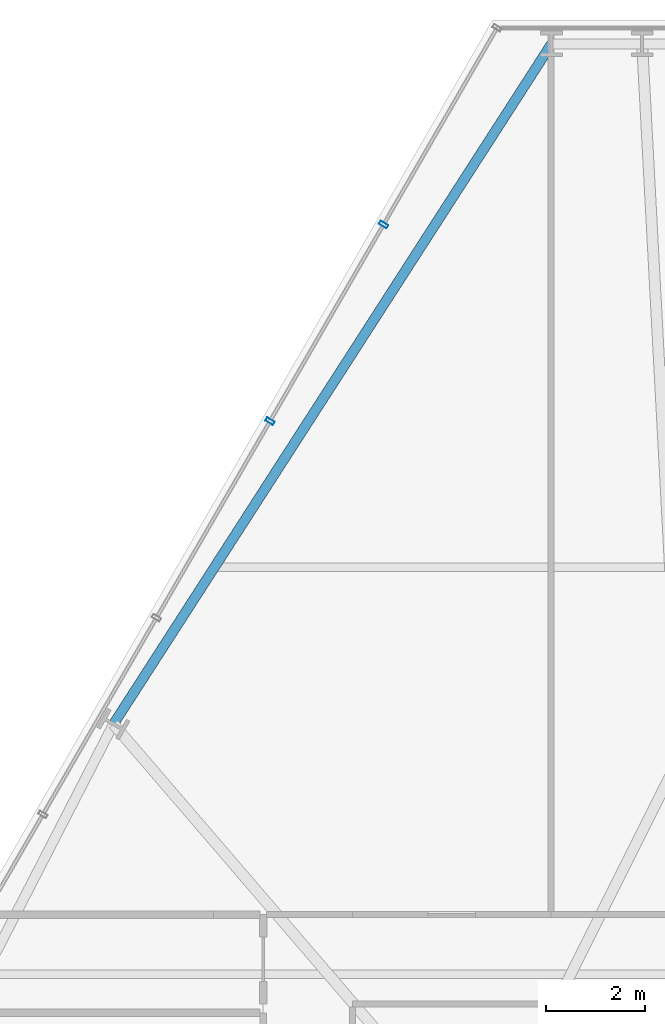
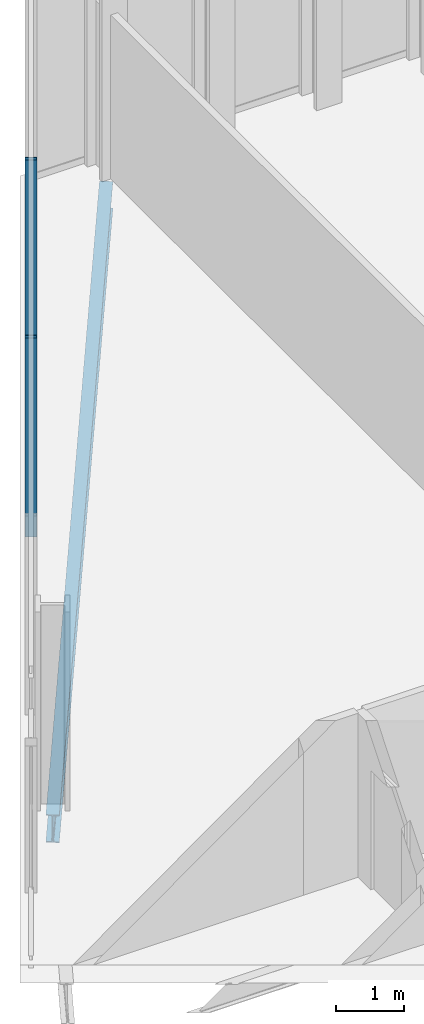
# One storey, part 22 of 32: 2 members, 1 beam, 1 element without a shape of its own.
"""IFC4 building model written with IfcOpenShell, lengths in metres."""

from ifc_helpers import new_model, si_unit, direction, frame, origin, origin_2d, place, context, subcontext, project, spatial, hollow_rectangle, i_section, extrude, material, layer, layer_set, material_profile, profile_set, type_object, element, aggregate, save


model = new_model("IFC4")

# Units and contexts
model_context = context("Model", 3, precision=1e-05, world=origin(), true_north=direction((0.0, 1.0)))
body_context = subcontext(model_context, "Body", "Model", "MODEL_VIEW")
ifc_project = project(units=[si_unit("LENGTHUNIT", "METRE"), si_unit("AREAUNIT", "SQUARE_METRE"), si_unit("VOLUMEUNIT", "CUBIC_METRE"), si_unit("PLANEANGLEUNIT", "RADIAN"), si_unit("MASSUNIT", "GRAM", prefix="KILO")], contexts=[model_context])

# Site, building, storey
site_placement = place(None, origin())
site = spatial("IfcSite", under=ifc_project, at=site_placement, CompositionType="ELEMENT")
building_placement = place(site_placement, origin())
building = spatial("IfcBuilding", under=site, at=building_placement, Name="Ndaravel Arena Tower", CompositionType="ELEMENT")
storey_placement = place(building_placement, frame((0.0, 0.0, 74.0)))
storey = spatial("IfcBuildingStorey", under=building, at=storey_placement, Name="L16", CompositionType="ELEMENT", Elevation=74.0)

# Beam
ifc_material_1 = material(Name="Steel S355", Category="steel")
ifc_material_profile_1 = material_profile(ifc_material_1, i_section(OverallWidth=0.199951171875, OverallDepth=0.5, WebThickness=0.01025390625, FlangeThickness=0.01611328125, FilletRadius=0.02099609375, at=origin_2d()), Name="IPE 500")
ifc_profile_set_1 = profile_set([ifc_material_profile_1], Name="Steel S355")
beam_type = type_object("IfcBeamType", Name="BM-SPAN-IPE500", PredefinedType="SPANDREL", material=ifc_profile_set_1)
beam_placement = place(storey_placement, frame((35.61083984375, 45.545654296875, -0.469970703125), z_axis=(-0.541382511268, -0.840776412903, 0.0), x_axis=(0.840776412903, -0.541382511268, 0.0)))
element("IfcBeam", 1, at=beam_placement, inside=storey, type_object=beam_type, Name="L16 Perimeter Spandrel Beam SP-18", PredefinedType="SPANDREL", context=body_context, shape_type="SweptSolid", body=[
    extrude(i_section(OverallWidth=0.199951171875, OverallDepth=0.5, WebThickness=0.01025390625, FlangeThickness=0.01611328125, FilletRadius=0.02099609375, at=origin_2d()), origin(), (0.0, 0.0, 1.0), 16.3056640625),
])

# Curtain wall, members
ifc_material_2 = material(Name="Aluminium", Category="aluminium")
ifc_layer = layer(ifc_material_2, 0.179931640625)
ifc_layer_set = layer_set([ifc_layer], Name="Aluminium")
curtain_wall_type = type_object("IfcCurtainWallType", Name="CW-SYS-03", PredefinedType="NOTDEFINED", material=ifc_layer_set)
curtain_wall_placement = place(storey_placement, origin())
curtain_wall = element("IfcCurtainWall", 2, at=curtain_wall_placement, inside=storey, type_object=curtain_wall_type, Name="L16 Faceted Crystal Curtain Wall CW-L16-E05", PredefinedType="NOTDEFINED")
ifc_material_3 = material(Name="Aluminium", Category="aluminium")
ifc_material_profile_2 = material_profile(ifc_material_3, hollow_rectangle(XDim=0.074951171875, YDim=0.179931640625, WallThickness=0.00390625, at=origin_2d()), Name="CW MULLION 75x180x4")
ifc_profile_set_2 = profile_set([ifc_material_profile_2], Name="Aluminium")
member_type = type_object("IfcMemberType", Name="MEM-CW-MUL180", PredefinedType="MULLION", material=ifc_profile_set_2)
member_1_placement = place(storey_placement, frame((32.2255859375, 41.903076171875, 0.0), z_axis=(0.0, 0.0, 1.0), x_axis=(-0.5, -0.866025403784, 0.0)))
member_1 = element("IfcMember", 3, at=member_1_placement, type_object=member_type, Name="CW-L16-E05 Mullion 01", PredefinedType="MULLION", context=body_context, shape_type="SweptSolid", body=[
    extrude(hollow_rectangle(XDim=0.074951171875, YDim=0.179931640625, WallThickness=0.00390625, at=origin_2d()), origin(), (0.0, 0.0, 1.0), 3.580078125),
])
member_2_placement = place(storey_placement, frame((29.937744140625, 37.940185546875, 0.0), z_axis=(0.0, 0.0, 1.0), x_axis=(-0.5, -0.866025403784, 0.0)))
member_2 = element("IfcMember", 4, at=member_2_placement, type_object=member_type, Name="CW-L16-E05 Mullion 02", PredefinedType="MULLION", context=body_context, shape_type="SweptSolid", body=[
    extrude(hollow_rectangle(XDim=0.074951171875, YDim=0.179931640625, WallThickness=0.00390625, at=origin_2d()), origin(), (0.0, 0.0, 1.0), 3.580078125),
])
aggregate(curtain_wall, [member_1, member_2])

save(model, "model.ifc")
